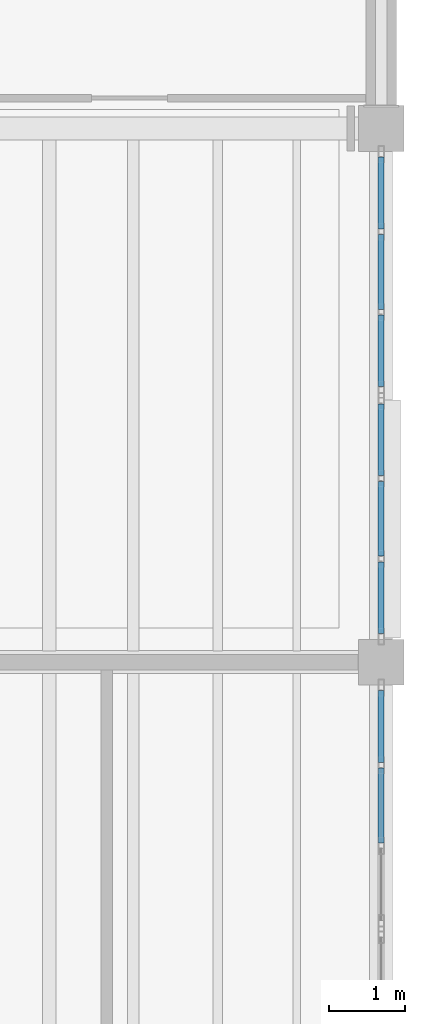
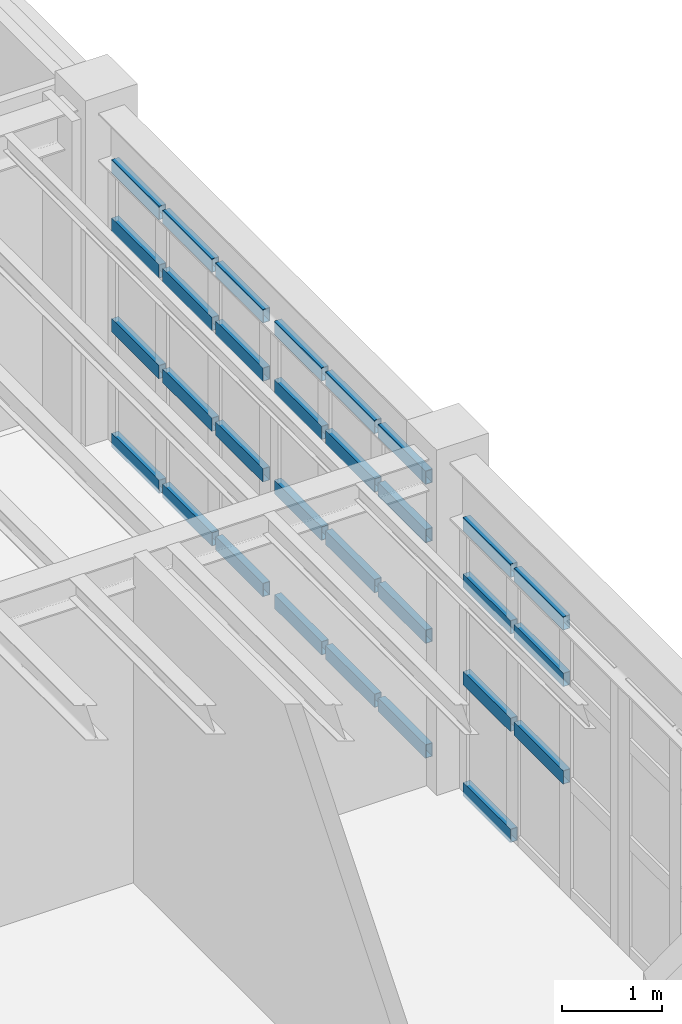
# One storey, part 46 of 77: 31 members, 3 elements without a shape of their own.
"""IFC4 building model written with IfcOpenShell, lengths in metres."""

from ifc_helpers import new_model, si_unit, direction, frame, origin, origin_2d, place, context, subcontext, project, spatial, hollow_rectangle, extrude, material, material_profile, profile_set, type_object, element, aggregate, save


model = new_model("IFC4")

# Units and contexts
model_context = context("Model", 3, precision=1e-05, world=origin(), true_north=direction((0.0, 1.0)))
body_context = subcontext(model_context, "Body", "Model", "MODEL_VIEW")
ifc_project = project(units=[si_unit("LENGTHUNIT", "METRE"), si_unit("AREAUNIT", "SQUARE_METRE"), si_unit("VOLUMEUNIT", "CUBIC_METRE"), si_unit("PLANEANGLEUNIT", "RADIAN"), si_unit("MASSUNIT", "GRAM", prefix="KILO"), si_unit("THERMODYNAMICTEMPERATUREUNIT", "KELVIN"), si_unit("POWERUNIT", "WATT")], contexts=[model_context])

# Site, building, storey
site_placement = place(None, origin())
site = spatial("IfcSite", under=ifc_project, at=site_placement, CompositionType="ELEMENT")
building_placement = place(site_placement, origin())
building = spatial("IfcBuilding", under=site, at=building_placement, Name="Zhenchuan Central Fire Station", CompositionType="ELEMENT")
storey_placement = place(building_placement, frame((0.0, 0.0, 10.050048828125)))
storey = spatial("IfcBuildingStorey", under=building, at=storey_placement, Name="L03", CompositionType="ELEMENT", Elevation=10.050048828125)

# Curtain wall, members
ifc_material_1 = material(Name="Anodised aluminium and low-E glazing", Category="aluminium")
curtain_wall_type_1 = type_object("IfcCurtainWallType", Name="CW-MOD-14", PredefinedType="USERDEFINED", material=ifc_material_1)
curtain_wall_1_placement = place(storey_placement, origin())
curtain_wall_1 = element("IfcCurtainWall", 1, at=curtain_wall_1_placement, inside=storey, type_object=curtain_wall_type_1, Name="L03 Unitised Curtain Wall 111", ObjectType="UNITISED GLAZING", PredefinedType="USERDEFINED")
ifc_material_2 = material(Name="Anodised aluminium EN AW-6063", Category="aluminium")
ifc_material_profile = material_profile(ifc_material_2, hollow_rectangle(XDim=0.080078125, YDim=0.1650390625, WallThickness=0.0048828125, at=origin_2d()), Name="ALU-T 165x80")
ifc_profile_set = profile_set([ifc_material_profile], Name="Anodised aluminium EN AW-6063")
member_type = type_object("IfcMemberType", Name="CW-TRN150", PredefinedType="NOTDEFINED", material=ifc_profile_set)
member_1_placement = place(storey_placement, frame((161.0, 40.12939453125, 1.383544921875), z_axis=(0.0, 1.0, 0.0), x_axis=(-1.0, 0.0, 0.0)))
member_1 = element("IfcMember", 2, at=member_1_placement, type_object=member_type, Name="CW-14 transom 2.2", ObjectType="TRANSOM", PredefinedType="USERDEFINED", context=body_context, shape_type="SweptSolid", body=[
    extrude(hollow_rectangle(XDim=0.080078125, YDim=0.1650390625, WallThickness=0.0048828125, at=origin_2d()), origin(), (0.0, 0.0, 1.0), 0.97900390625),
])
member_2_placement = place(storey_placement, frame((161.0, 40.12939453125, 2.5693359375), z_axis=(0.0, 1.0, 0.0), x_axis=(-1.0, 0.0, 0.0)))
member_2 = element("IfcMember", 3, at=member_2_placement, type_object=member_type, Name="CW-14 transom 2.3", ObjectType="TRANSOM", PredefinedType="USERDEFINED", context=body_context, shape_type="SweptSolid", body=[
    extrude(hollow_rectangle(XDim=0.080078125, YDim=0.1650390625, WallThickness=0.0048828125, at=origin_2d()), origin(), (0.0, 0.0, 1.0), 0.97900390625),
])
member_3_placement = place(storey_placement, frame((161.0, 40.12939453125, 3.25634765625), z_axis=(0.0, 1.0, 0.0), x_axis=(-1.0, 0.0, 0.0)))
member_3 = element("IfcMember", 4, at=member_3_placement, type_object=member_type, Name="CW-14 transom 2.4", ObjectType="TRANSOM", PredefinedType="USERDEFINED", context=body_context, shape_type="SweptSolid", body=[
    extrude(hollow_rectangle(XDim=0.080078125, YDim=0.1650390625, WallThickness=0.0048828125, at=origin_2d()), origin(), (0.0, 0.0, 1.0), 0.97900390625),
])
member_4_placement = place(storey_placement, frame((161.0, 41.18359375, 0.033447265625), z_axis=(0.0, 1.0, 0.0), x_axis=(-1.0, 0.0, 0.0)))
member_4 = element("IfcMember", 5, at=member_4_placement, type_object=member_type, Name="CW-14 transom 3.1", ObjectType="TRANSOM", PredefinedType="USERDEFINED", context=body_context, shape_type="SweptSolid", body=[
    extrude(hollow_rectangle(XDim=0.080078125, YDim=0.1650390625, WallThickness=0.0048828125, at=origin_2d()), origin(), (0.0, 0.0, 1.0), 0.94140625),
])
member_5_placement = place(storey_placement, frame((161.0, 41.18359375, 1.383544921875), z_axis=(0.0, 1.0, 0.0), x_axis=(-1.0, 0.0, 0.0)))
member_5 = element("IfcMember", 6, at=member_5_placement, type_object=member_type, Name="CW-14 transom 3.2", ObjectType="TRANSOM", PredefinedType="USERDEFINED", context=body_context, shape_type="SweptSolid", body=[
    extrude(hollow_rectangle(XDim=0.080078125, YDim=0.1650390625, WallThickness=0.0048828125, at=origin_2d()), origin(), (0.0, 0.0, 1.0), 0.94140625),
])
member_6_placement = place(storey_placement, frame((161.0, 41.18359375, 2.5693359375), z_axis=(0.0, 1.0, 0.0), x_axis=(-1.0, 0.0, 0.0)))
member_6 = element("IfcMember", 7, at=member_6_placement, type_object=member_type, Name="CW-14 transom 3.3", ObjectType="TRANSOM", PredefinedType="USERDEFINED", context=body_context, shape_type="SweptSolid", body=[
    extrude(hollow_rectangle(XDim=0.080078125, YDim=0.1650390625, WallThickness=0.0048828125, at=origin_2d()), origin(), (0.0, 0.0, 1.0), 0.94140625),
])
member_7_placement = place(storey_placement, frame((161.0, 41.18359375, 3.25634765625), z_axis=(0.0, 1.0, 0.0), x_axis=(-1.0, 0.0, 0.0)))
member_7 = element("IfcMember", 8, at=member_7_placement, type_object=member_type, Name="CW-14 transom 3.4", ObjectType="TRANSOM", PredefinedType="USERDEFINED", context=body_context, shape_type="SweptSolid", body=[
    extrude(hollow_rectangle(XDim=0.080078125, YDim=0.1650390625, WallThickness=0.0048828125, at=origin_2d()), origin(), (0.0, 0.0, 1.0), 0.94140625),
])
aggregate(curtain_wall_1, [member_1, member_2, member_3, member_4, member_5, member_6, member_7])

curtain_wall_type_2 = type_object("IfcCurtainWallType", Name="CW-MOD-13", PredefinedType="USERDEFINED", material=ifc_material_1)
curtain_wall_2_placement = place(storey_placement, origin())
curtain_wall_2 = element("IfcCurtainWall", 9, at=curtain_wall_2_placement, inside=storey, type_object=curtain_wall_type_2, Name="L03 Unitised Curtain Wall 144", ObjectType="UNITISED GLAZING", PredefinedType="USERDEFINED")
member_8_placement = place(storey_placement, frame((161.0, 42.875, 0.033447265625), z_axis=(0.0, 1.0, 0.0), x_axis=(-1.0, 0.0, 0.0)))
member_8 = element("IfcMember", 10, at=member_8_placement, type_object=member_type, Name="CW-13 transom 1.1", ObjectType="TRANSOM", PredefinedType="USERDEFINED", context=body_context, shape_type="SweptSolid", body=[
    extrude(hollow_rectangle(XDim=0.080078125, YDim=0.1650390625, WallThickness=0.0048828125, at=origin_2d()), origin(), (0.0, 0.0, 1.0), 0.94140625),
])
member_9_placement = place(storey_placement, frame((161.0, 42.875, 1.427978515625), z_axis=(0.0, 1.0, 0.0), x_axis=(-1.0, 0.0, 0.0)))
member_9 = element("IfcMember", 11, at=member_9_placement, type_object=member_type, Name="CW-13 transom 1.2", ObjectType="TRANSOM", PredefinedType="USERDEFINED", context=body_context, shape_type="SweptSolid", body=[
    extrude(hollow_rectangle(XDim=0.080078125, YDim=0.1650390625, WallThickness=0.0048828125, at=origin_2d()), origin(), (0.0, 0.0, 1.0), 0.94140625),
])
member_10_placement = place(storey_placement, frame((161.0, 42.875, 2.65185546875), z_axis=(0.0, 1.0, 0.0), x_axis=(-1.0, 0.0, 0.0)))
member_10 = element("IfcMember", 12, at=member_10_placement, type_object=member_type, Name="CW-13 transom 1.3", ObjectType="TRANSOM", PredefinedType="USERDEFINED", context=body_context, shape_type="SweptSolid", body=[
    extrude(hollow_rectangle(XDim=0.080078125, YDim=0.1650390625, WallThickness=0.0048828125, at=origin_2d()), origin(), (0.0, 0.0, 1.0), 0.94140625),
])
member_11_placement = place(storey_placement, frame((161.0, 42.875, 3.362548828125), z_axis=(0.0, 1.0, 0.0), x_axis=(-1.0, 0.0, 0.0)))
member_11 = element("IfcMember", 13, at=member_11_placement, type_object=member_type, Name="CW-13 transom 1.4", ObjectType="TRANSOM", PredefinedType="USERDEFINED", context=body_context, shape_type="SweptSolid", body=[
    extrude(hollow_rectangle(XDim=0.080078125, YDim=0.1650390625, WallThickness=0.0048828125, at=origin_2d()), origin(), (0.0, 0.0, 1.0), 0.94140625),
])
member_12_placement = place(storey_placement, frame((161.0, 43.8916015625, 0.033447265625), z_axis=(0.0, 1.0, 0.0), x_axis=(-1.0, 0.0, 0.0)))
member_12 = element("IfcMember", 14, at=member_12_placement, type_object=member_type, Name="CW-13 transom 2.1", ObjectType="TRANSOM", PredefinedType="USERDEFINED", context=body_context, shape_type="SweptSolid", body=[
    extrude(hollow_rectangle(XDim=0.080078125, YDim=0.1650390625, WallThickness=0.0048828125, at=origin_2d()), origin(), (0.0, 0.0, 1.0), 0.97900390625),
])
member_13_placement = place(storey_placement, frame((161.0, 43.8916015625, 1.427978515625), z_axis=(0.0, 1.0, 0.0), x_axis=(-1.0, 0.0, 0.0)))
member_13 = element("IfcMember", 15, at=member_13_placement, type_object=member_type, Name="CW-13 transom 2.2", ObjectType="TRANSOM", PredefinedType="USERDEFINED", context=body_context, shape_type="SweptSolid", body=[
    extrude(hollow_rectangle(XDim=0.080078125, YDim=0.1650390625, WallThickness=0.0048828125, at=origin_2d()), origin(), (0.0, 0.0, 1.0), 0.97900390625),
])
member_14_placement = place(storey_placement, frame((161.0, 43.8916015625, 2.65185546875), z_axis=(0.0, 1.0, 0.0), x_axis=(-1.0, 0.0, 0.0)))
member_14 = element("IfcMember", 16, at=member_14_placement, type_object=member_type, Name="CW-13 transom 2.3", ObjectType="TRANSOM", PredefinedType="USERDEFINED", context=body_context, shape_type="SweptSolid", body=[
    extrude(hollow_rectangle(XDim=0.080078125, YDim=0.1650390625, WallThickness=0.0048828125, at=origin_2d()), origin(), (0.0, 0.0, 1.0), 0.97900390625),
])
member_15_placement = place(storey_placement, frame((161.0, 43.8916015625, 3.362548828125), z_axis=(0.0, 1.0, 0.0), x_axis=(-1.0, 0.0, 0.0)))
member_15 = element("IfcMember", 17, at=member_15_placement, type_object=member_type, Name="CW-13 transom 2.4", ObjectType="TRANSOM", PredefinedType="USERDEFINED", context=body_context, shape_type="SweptSolid", body=[
    extrude(hollow_rectangle(XDim=0.080078125, YDim=0.1650390625, WallThickness=0.0048828125, at=origin_2d()), origin(), (0.0, 0.0, 1.0), 0.97900390625),
])
member_16_placement = place(storey_placement, frame((161.0, 44.945556640625, 0.033447265625), z_axis=(0.0, 1.0, 0.0), x_axis=(-1.0, 0.0, 0.0)))
member_16 = element("IfcMember", 18, at=member_16_placement, type_object=member_type, Name="CW-13 transom 3.1", ObjectType="TRANSOM", PredefinedType="USERDEFINED", context=body_context, shape_type="SweptSolid", body=[
    extrude(hollow_rectangle(XDim=0.080078125, YDim=0.1650390625, WallThickness=0.0048828125, at=origin_2d()), origin(), (0.0, 0.0, 1.0), 0.94140625),
])
member_17_placement = place(storey_placement, frame((161.0, 44.945556640625, 1.427978515625), z_axis=(0.0, 1.0, 0.0), x_axis=(-1.0, 0.0, 0.0)))
member_17 = element("IfcMember", 19, at=member_17_placement, type_object=member_type, Name="CW-13 transom 3.2", ObjectType="TRANSOM", PredefinedType="USERDEFINED", context=body_context, shape_type="SweptSolid", body=[
    extrude(hollow_rectangle(XDim=0.080078125, YDim=0.1650390625, WallThickness=0.0048828125, at=origin_2d()), origin(), (0.0, 0.0, 1.0), 0.94140625),
])
member_18_placement = place(storey_placement, frame((161.0, 44.945556640625, 2.65185546875), z_axis=(0.0, 1.0, 0.0), x_axis=(-1.0, 0.0, 0.0)))
member_18 = element("IfcMember", 20, at=member_18_placement, type_object=member_type, Name="CW-13 transom 3.3", ObjectType="TRANSOM", PredefinedType="USERDEFINED", context=body_context, shape_type="SweptSolid", body=[
    extrude(hollow_rectangle(XDim=0.080078125, YDim=0.1650390625, WallThickness=0.0048828125, at=origin_2d()), origin(), (0.0, 0.0, 1.0), 0.94140625),
])
member_19_placement = place(storey_placement, frame((161.0, 44.945556640625, 3.362548828125), z_axis=(0.0, 1.0, 0.0), x_axis=(-1.0, 0.0, 0.0)))
member_19 = element("IfcMember", 21, at=member_19_placement, type_object=member_type, Name="CW-13 transom 3.4", ObjectType="TRANSOM", PredefinedType="USERDEFINED", context=body_context, shape_type="SweptSolid", body=[
    extrude(hollow_rectangle(XDim=0.080078125, YDim=0.1650390625, WallThickness=0.0048828125, at=origin_2d()), origin(), (0.0, 0.0, 1.0), 0.94140625),
])
aggregate(curtain_wall_2, [member_8, member_9, member_10, member_11, member_12, member_13, member_14, member_15, member_16, member_17, member_18, member_19])

curtain_wall_3_placement = place(storey_placement, origin())
curtain_wall_3 = element("IfcCurtainWall", 22, at=curtain_wall_3_placement, inside=storey, type_object=curtain_wall_type_1, Name="L03 Unitised Curtain Wall 145", ObjectType="UNITISED GLAZING", PredefinedType="USERDEFINED")
member_20_placement = place(storey_placement, frame((161.0, 46.113037109375, 0.033447265625), z_axis=(0.0, 1.0, 0.0), x_axis=(-1.0, 0.0, 0.0)))
member_20 = element("IfcMember", 23, at=member_20_placement, type_object=member_type, Name="CW-14 transom 1.1", ObjectType="TRANSOM", PredefinedType="USERDEFINED", context=body_context, shape_type="SweptSolid", body=[
    extrude(hollow_rectangle(XDim=0.080078125, YDim=0.1650390625, WallThickness=0.0048828125, at=origin_2d()), origin(), (0.0, 0.0, 1.0), 0.94140625),
])
member_21_placement = place(storey_placement, frame((161.0, 46.113037109375, 1.427978515625), z_axis=(0.0, 1.0, 0.0), x_axis=(-1.0, 0.0, 0.0)))
member_21 = element("IfcMember", 24, at=member_21_placement, type_object=member_type, Name="CW-14 transom 1.2", ObjectType="TRANSOM", PredefinedType="USERDEFINED", context=body_context, shape_type="SweptSolid", body=[
    extrude(hollow_rectangle(XDim=0.080078125, YDim=0.1650390625, WallThickness=0.0048828125, at=origin_2d()), origin(), (0.0, 0.0, 1.0), 0.94140625),
])
member_22_placement = place(storey_placement, frame((161.0, 46.113037109375, 2.65185546875), z_axis=(0.0, 1.0, 0.0), x_axis=(-1.0, 0.0, 0.0)))
member_22 = element("IfcMember", 25, at=member_22_placement, type_object=member_type, Name="CW-14 transom 1.3", ObjectType="TRANSOM", PredefinedType="USERDEFINED", context=body_context, shape_type="SweptSolid", body=[
    extrude(hollow_rectangle(XDim=0.080078125, YDim=0.1650390625, WallThickness=0.0048828125, at=origin_2d()), origin(), (0.0, 0.0, 1.0), 0.94140625),
])
member_23_placement = place(storey_placement, frame((161.0, 46.113037109375, 3.362548828125), z_axis=(0.0, 1.0, 0.0), x_axis=(-1.0, 0.0, 0.0)))
member_23 = element("IfcMember", 26, at=member_23_placement, type_object=member_type, Name="CW-14 transom 1.4", ObjectType="TRANSOM", PredefinedType="USERDEFINED", context=body_context, shape_type="SweptSolid", body=[
    extrude(hollow_rectangle(XDim=0.080078125, YDim=0.1650390625, WallThickness=0.0048828125, at=origin_2d()), origin(), (0.0, 0.0, 1.0), 0.94140625),
])
member_24_placement = place(storey_placement, frame((161.0, 47.12939453125, 0.033447265625), z_axis=(0.0, 1.0, 0.0), x_axis=(-1.0, 0.0, 0.0)))
member_24 = element("IfcMember", 27, at=member_24_placement, type_object=member_type, Name="CW-14 transom 2.1", ObjectType="TRANSOM", PredefinedType="USERDEFINED", context=body_context, shape_type="SweptSolid", body=[
    extrude(hollow_rectangle(XDim=0.080078125, YDim=0.1650390625, WallThickness=0.0048828125, at=origin_2d()), origin(), (0.0, 0.0, 1.0), 0.97900390625),
])
member_25_placement = place(storey_placement, frame((161.0, 47.12939453125, 1.427978515625), z_axis=(0.0, 1.0, 0.0), x_axis=(-1.0, 0.0, 0.0)))
member_25 = element("IfcMember", 28, at=member_25_placement, type_object=member_type, Name="CW-14 transom 2.2", ObjectType="TRANSOM", PredefinedType="USERDEFINED", context=body_context, shape_type="SweptSolid", body=[
    extrude(hollow_rectangle(XDim=0.080078125, YDim=0.1650390625, WallThickness=0.0048828125, at=origin_2d()), origin(), (0.0, 0.0, 1.0), 0.97900390625),
])
member_26_placement = place(storey_placement, frame((161.0, 47.12939453125, 2.65185546875), z_axis=(0.0, 1.0, 0.0), x_axis=(-1.0, 0.0, 0.0)))
member_26 = element("IfcMember", 29, at=member_26_placement, type_object=member_type, Name="CW-14 transom 2.3", ObjectType="TRANSOM", PredefinedType="USERDEFINED", context=body_context, shape_type="SweptSolid", body=[
    extrude(hollow_rectangle(XDim=0.080078125, YDim=0.1650390625, WallThickness=0.0048828125, at=origin_2d()), origin(), (0.0, 0.0, 1.0), 0.97900390625),
])
member_27_placement = place(storey_placement, frame((161.0, 47.12939453125, 3.362548828125), z_axis=(0.0, 1.0, 0.0), x_axis=(-1.0, 0.0, 0.0)))
member_27 = element("IfcMember", 30, at=member_27_placement, type_object=member_type, Name="CW-14 transom 2.4", ObjectType="TRANSOM", PredefinedType="USERDEFINED", context=body_context, shape_type="SweptSolid", body=[
    extrude(hollow_rectangle(XDim=0.080078125, YDim=0.1650390625, WallThickness=0.0048828125, at=origin_2d()), origin(), (0.0, 0.0, 1.0), 0.97900390625),
])
member_28_placement = place(storey_placement, frame((161.0, 48.18359375, 0.033447265625), z_axis=(0.0, 1.0, 0.0), x_axis=(-1.0, 0.0, 0.0)))
member_28 = element("IfcMember", 31, at=member_28_placement, type_object=member_type, Name="CW-14 transom 3.1", ObjectType="TRANSOM", PredefinedType="USERDEFINED", context=body_context, shape_type="SweptSolid", body=[
    extrude(hollow_rectangle(XDim=0.080078125, YDim=0.1650390625, WallThickness=0.0048828125, at=origin_2d()), origin(), (0.0, 0.0, 1.0), 0.94140625),
])
member_29_placement = place(storey_placement, frame((161.0, 48.18359375, 1.427978515625), z_axis=(0.0, 1.0, 0.0), x_axis=(-1.0, 0.0, 0.0)))
member_29 = element("IfcMember", 32, at=member_29_placement, type_object=member_type, Name="CW-14 transom 3.2", ObjectType="TRANSOM", PredefinedType="USERDEFINED", context=body_context, shape_type="SweptSolid", body=[
    extrude(hollow_rectangle(XDim=0.080078125, YDim=0.1650390625, WallThickness=0.0048828125, at=origin_2d()), origin(), (0.0, 0.0, 1.0), 0.94140625),
])
member_30_placement = place(storey_placement, frame((161.0, 48.18359375, 2.65185546875), z_axis=(0.0, 1.0, 0.0), x_axis=(-1.0, 0.0, 0.0)))
member_30 = element("IfcMember", 33, at=member_30_placement, type_object=member_type, Name="CW-14 transom 3.3", ObjectType="TRANSOM", PredefinedType="USERDEFINED", context=body_context, shape_type="SweptSolid", body=[
    extrude(hollow_rectangle(XDim=0.080078125, YDim=0.1650390625, WallThickness=0.0048828125, at=origin_2d()), origin(), (0.0, 0.0, 1.0), 0.94140625),
])
member_31_placement = place(storey_placement, frame((161.0, 48.18359375, 3.362548828125), z_axis=(0.0, 1.0, 0.0), x_axis=(-1.0, 0.0, 0.0)))
member_31 = element("IfcMember", 34, at=member_31_placement, type_object=member_type, Name="CW-14 transom 3.4", ObjectType="TRANSOM", PredefinedType="USERDEFINED", context=body_context, shape_type="SweptSolid", body=[
    extrude(hollow_rectangle(XDim=0.080078125, YDim=0.1650390625, WallThickness=0.0048828125, at=origin_2d()), origin(), (0.0, 0.0, 1.0), 0.94140625),
])
aggregate(curtain_wall_3, [member_20, member_21, member_22, member_23, member_24, member_25, member_26, member_27, member_28, member_29, member_30, member_31])

save(model, "model.ifc")
